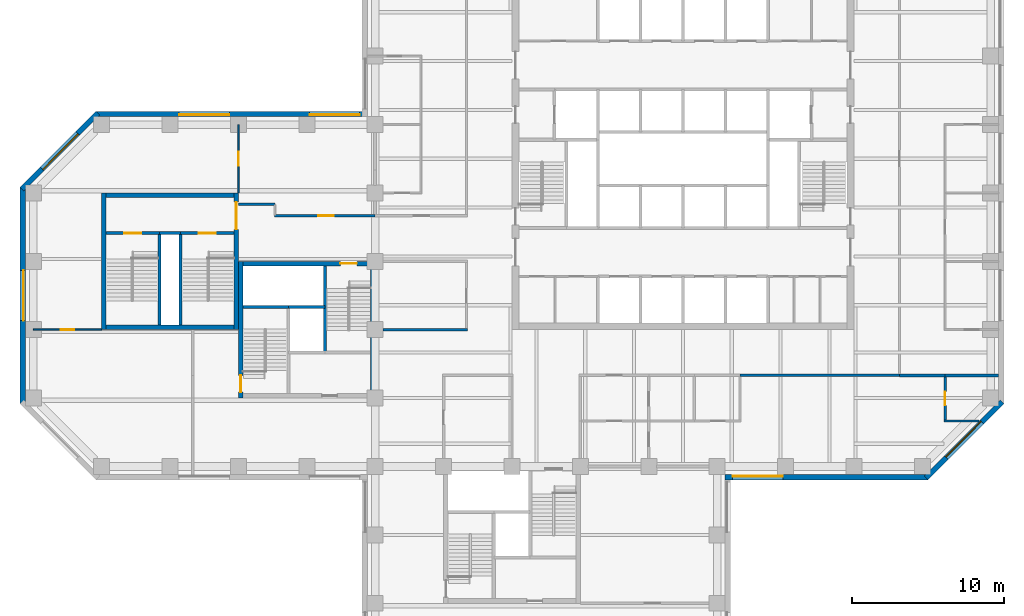
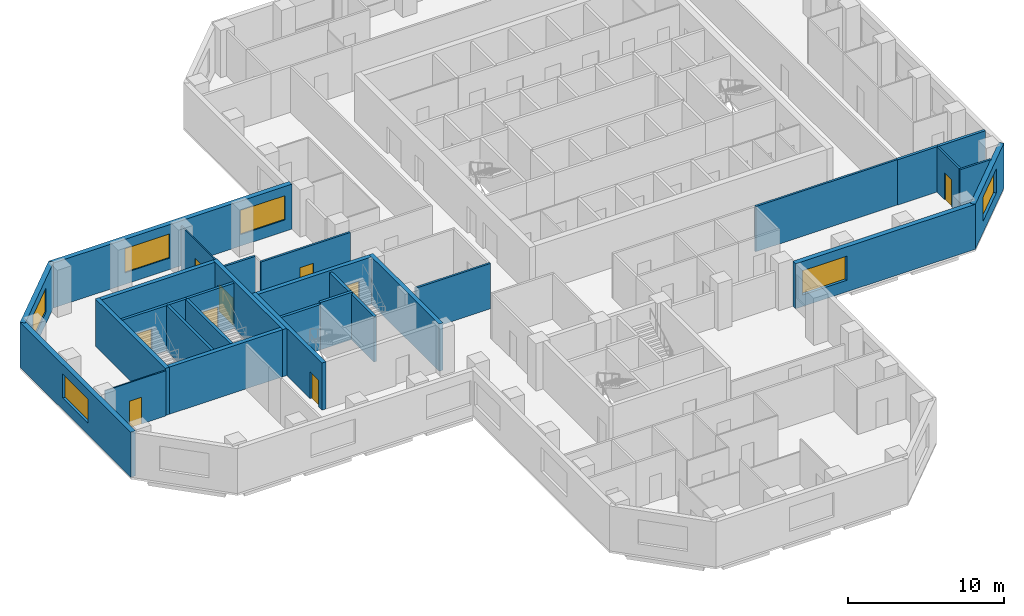
# One storey, part 5 of 10: 30 walls, 9 doors, 6 windows, 15 openings.
"""IFC4 building model written with IfcOpenShell, lengths in metres."""

from ifc_helpers import new_model, si_unit, direction, frame, frame_2d, origin, place, context, subcontext, project, spatial, rectangle, extrude, material, layer, layer_set, constituent, constituent_set, type_object, element, fill, save


model = new_model("IFC4")

# Units and contexts
model_context = context("Model", 3, precision=1e-05, world=origin(), true_north=direction((0.0, 1.0)))
body_context = subcontext(model_context, "Body", "Model", "MODEL_VIEW")
ifc_project = project(units=[si_unit("LENGTHUNIT", "METRE"), si_unit("AREAUNIT", "SQUARE_METRE"), si_unit("VOLUMEUNIT", "CUBIC_METRE"), si_unit("PLANEANGLEUNIT", "RADIAN"), si_unit("MASSUNIT", "GRAM", prefix="KILO")], contexts=[model_context])

# Site, building, storey
site_placement = place(None, origin())
site = spatial("IfcSite", under=ifc_project, at=site_placement, CompositionType="ELEMENT")
building_placement = place(site_placement, origin())
building = spatial("IfcBuilding", under=site, at=building_placement, Name="Quoin Convention Tower", CompositionType="ELEMENT")
storey_placement = place(building_placement, frame((0.0, 0.0, 90.0)))
storey = spatial("IfcBuildingStorey", under=building, at=storey_placement, Name="L23", CompositionType="ELEMENT", Elevation=90.0)

# Wall, opening, window
ifc_material_1 = material(Name="Brick masonry", Category="masonry")
ifc_layer_1 = layer(ifc_material_1, 0.35009765625)
ifc_layer_set_1 = layer_set([ifc_layer_1], Name="Brick masonry")
wall_type_1 = type_object("IfcWallType", Name="Brick facade wall", PredefinedType="STANDARD", material=ifc_layer_set_1)
wall_1_placement = place(storey_placement, frame((59.02490234375, 39.800048828125, 0.0), z_axis=(0.0, 0.0, 1.0), x_axis=(1.0, 0.0, 0.0)))
wall_1 = element("IfcWall", 1, at=wall_1_placement, inside=storey, type_object=wall_type_1, Name="fw-L23-58500_40500", PredefinedType="STANDARD", context=body_context, shape_type="SweptSolid", body=[
    extrude(rectangle(XDim=13.33740234375, YDim=0.35009765625, at=frame_2d((6.668701171875, 0.0))), origin(), (0.0, 0.0, 1.0), 3.52490234375),
])
opening_1_placement = place(wall_1_placement, frame((0.5, 0.0, 0.89990234375)))
opening_1 = element("IfcOpeningElement", 2, at=opening_1_placement, cuts=wall_1, Name="Opening W-02", PredefinedType="OPENING", context=body_context, shape_type="SweptSolid", body=[
    extrude(rectangle(XDim=3.300048828125, YDim=1.89990234375, at=frame_2d((1.64990234375, 0.949951171875))), frame((0.0, 0.18505859375, 0.0), z_axis=(0.0, -1.0, 0.0), x_axis=(1.0, 0.0, 0.0)), (0.0, 0.0, 1.0), 0.3701171875),
])
ifc_material_2 = material(Name="Aluminium", Category="aluminium")
ifc_constituent_1 = constituent(ifc_material_2, Name="Frame")
ifc_material_3 = material(Name="Insulated glass", Category="glass")
ifc_constituent_2 = constituent(ifc_material_3, Name="Glazing")
ifc_constituent_set = constituent_set(constituents=[ifc_constituent_1, ifc_constituent_2], Name="Aluminium")
window_type = type_object("IfcWindowType", Name="Office window", PartitioningType="DOUBLE_PANEL_VERTICAL", PredefinedType="WINDOW", material=ifc_constituent_set)
window_1_placement = place(opening_1_placement, origin())
window_1 = element("IfcWindow", 3, at=window_1_placement, inside=storey, type_object=window_type, Name="win-L23-60750_39800", OverallHeight=1.89990234375, OverallWidth=3.300048828125, PartitioningType="SINGLE_PANEL", PredefinedType="WINDOW", context=body_context, shape_type="SweptSolid", body=[
    extrude(rectangle(XDim=3.300048828125, YDim=1.89990234375, at=frame_2d((1.64990234375, 0.949951171875))), frame((0.0, 0.0849609375, 0.0), z_axis=(0.0, -1.0, 0.0), x_axis=(1.0, 0.0, 0.0)), (0.0, 0.0, 1.0), 0.06005859375),
])
fill(opening_1, window_1)

wall_2_placement = place(storey_placement, frame((72.23876953125, 39.748779296875, 0.0), z_axis=(0.0, 0.0, 1.0), x_axis=(0.707106781187, 0.707106781187, 0.0)))
wall_2 = element("IfcWall", 4, at=wall_2_placement, inside=storey, type_object=wall_type_1, Name="fw-L23-72000_40500", PredefinedType="STANDARD", context=body_context, shape_type="SweptSolid", body=[
    extrude(rectangle(XDim=7.088623046875, YDim=0.35009765625, at=frame_2d((3.54443359375, 0.0))), origin(), (0.0, 0.0, 1.0), 3.52490234375),
])
opening_2_placement = place(wall_2_placement, frame((1.894287109375, 0.0, 0.89990234375)))
opening_2 = element("IfcOpeningElement", 5, at=opening_2_placement, cuts=wall_2, Name="Opening W-02", PredefinedType="OPENING", context=body_context, shape_type="SweptSolid", body=[
    extrude(rectangle(XDim=3.300048828125, YDim=1.89990234375, at=frame_2d((1.64990234375, 0.949951171875))), frame((0.0, 0.18505859375, 0.0), z_axis=(0.0, -1.0, 0.0), x_axis=(1.0, 0.0, 0.0)), (0.0, 0.0, 1.0), 0.3701171875),
])
window_2_placement = place(opening_2_placement, origin())
window_2 = element("IfcWindow", 6, at=window_2_placement, inside=storey, type_object=window_type, Name="win-L23-74745_42255", OverallHeight=1.89990234375, OverallWidth=3.300048828125, PartitioningType="SINGLE_PANEL", PredefinedType="WINDOW", context=body_context, shape_type="SweptSolid", body=[
    extrude(rectangle(XDim=3.300048828125, YDim=1.89990234375, at=frame_2d((1.64990234375, 0.949951171875))), frame((0.0, 0.0849609375, 0.0), z_axis=(0.0, -1.0, 0.0), x_axis=(1.0, 0.0, 0.0)), (0.0, 0.0, 1.0), 0.06005859375),
])
fill(opening_2, window_2)

# Wall, openings, windows
wall_3_placement = place(storey_placement, frame((35.47509765625, 63.699951171875, 0.0), z_axis=(0.0, 0.0, 1.0), x_axis=(-1.0, 0.0, 0.0)))
wall_3 = element("IfcWall", 7, at=wall_3_placement, inside=storey, type_object=wall_type_1, Name="fw-L23-36000_63000", PredefinedType="STANDARD", context=body_context, shape_type="SweptSolid", body=[
    extrude(rectangle(XDim=17.83740234375, YDim=0.35009765625, at=frame_2d((8.918701171875, 0.0))), origin(), (0.0, 0.0, 1.0), 3.52490234375),
])
opening_3_placement = place(wall_3_placement, frame((0.5, 0.0, 0.89990234375)))
opening_3 = element("IfcOpeningElement", 8, at=opening_3_placement, cuts=wall_3, Name="Opening W-02", PredefinedType="OPENING", context=body_context, shape_type="SweptSolid", body=[
    extrude(rectangle(XDim=3.300048828125, YDim=1.89990234375, at=frame_2d((1.64990234375, 0.949951171875))), frame((0.0, 0.18505859375, 0.0), z_axis=(0.0, -1.0, 0.0), x_axis=(1.0, 0.0, 0.0)), (0.0, 0.0, 1.0), 0.3701171875),
])
opening_4_placement = place(wall_3_placement, frame((9.074951171875, 0.0, 0.89990234375)))
opening_4 = element("IfcOpeningElement", 9, at=opening_4_placement, cuts=wall_3, Name="Opening W-02", PredefinedType="OPENING", context=body_context, shape_type="SweptSolid", body=[
    extrude(rectangle(XDim=3.300048828125, YDim=1.89990234375, at=frame_2d((1.64990234375, 0.949951171875))), frame((0.0, 0.18505859375, 0.0), z_axis=(0.0, -1.0, 0.0), x_axis=(1.0, 0.0, 0.0)), (0.0, 0.0, 1.0), 0.3701171875),
])
window_3_placement = place(opening_3_placement, origin())
window_3 = element("IfcWindow", 10, at=window_3_placement, inside=storey, type_object=window_type, Name="win-L23-33750_63700", OverallHeight=1.89990234375, OverallWidth=3.300048828125, PartitioningType="SINGLE_PANEL", PredefinedType="WINDOW", context=body_context, shape_type="SweptSolid", body=[
    extrude(rectangle(XDim=3.300048828125, YDim=1.89990234375, at=frame_2d((1.64990234375, 0.949951171875))), frame((0.0, 0.0849609375, 0.0), z_axis=(0.0, -1.0, 0.0), x_axis=(1.0, 0.0, 0.0)), (0.0, 0.0, 1.0), 0.06005859375),
])
fill(opening_3, window_3)
window_4_placement = place(opening_4_placement, origin())
window_4 = element("IfcWindow", 11, at=window_4_placement, inside=storey, type_object=window_type, Name="win-L23-24750_63700", OverallHeight=1.89990234375, OverallWidth=3.300048828125, PartitioningType="SINGLE_PANEL", PredefinedType="WINDOW", context=body_context, shape_type="SweptSolid", body=[
    extrude(rectangle(XDim=3.300048828125, YDim=1.89990234375, at=frame_2d((1.64990234375, 0.949951171875))), frame((0.0, 0.0849609375, 0.0), z_axis=(0.0, -1.0, 0.0), x_axis=(1.0, 0.0, 0.0)), (0.0, 0.0, 1.0), 0.06005859375),
])
fill(opening_4, window_4)

# Wall, opening, window
wall_4_placement = place(storey_placement, frame((17.76123046875, 63.751220703125, 0.0), z_axis=(0.0, 0.0, 1.0), x_axis=(-0.707106781187, -0.707106781187, 0.0)))
wall_4 = element("IfcWall", 12, at=wall_4_placement, inside=storey, type_object=wall_type_1, Name="fw-L23-18000_63000", PredefinedType="STANDARD", context=body_context, shape_type="SweptSolid", body=[
    extrude(rectangle(XDim=7.088623046875, YDim=0.35009765625, at=frame_2d((3.54443359375, 0.0))), origin(), (0.0, 0.0, 1.0), 3.52490234375),
])
opening_5_placement = place(wall_4_placement, frame((1.894287109375, 0.0, 0.89990234375)))
opening_5 = element("IfcOpeningElement", 13, at=opening_5_placement, cuts=wall_4, Name="Opening W-02", PredefinedType="OPENING", context=body_context, shape_type="SweptSolid", body=[
    extrude(rectangle(XDim=3.300048828125, YDim=1.89990234375, at=frame_2d((1.64990234375, 0.949951171875))), frame((0.0, 0.18505859375, 0.0), z_axis=(0.0, -1.0, 0.0), x_axis=(1.0, 0.0, 0.0)), (0.0, 0.0, 1.0), 0.3701171875),
])
window_5_placement = place(opening_5_placement, origin())
window_5 = element("IfcWindow", 14, at=window_5_placement, inside=storey, type_object=window_type, Name="win-L23-15255_61245", OverallHeight=1.89990234375, OverallWidth=3.300048828125, PartitioningType="SINGLE_PANEL", PredefinedType="WINDOW", context=body_context, shape_type="SweptSolid", body=[
    extrude(rectangle(XDim=3.300048828125, YDim=1.89990234375, at=frame_2d((1.64990234375, 0.949951171875))), frame((0.0, 0.0849609375, 0.0), z_axis=(0.0, -1.0, 0.0), x_axis=(1.0, 0.0, 0.0)), (0.0, 0.0, 1.0), 0.06005859375),
])
fill(opening_5, window_5)

wall_5_placement = place(storey_placement, frame((12.800048828125, 58.8623046875, 0.0), z_axis=(0.0, 0.0, 1.0), x_axis=(0.0, -1.0, 0.0)))
wall_5 = element("IfcWall", 15, at=wall_5_placement, inside=storey, type_object=wall_type_1, Name="fw-L23-13500_58500", PredefinedType="STANDARD", context=body_context, shape_type="SweptSolid", body=[
    extrude(rectangle(XDim=14.224609375, YDim=0.35009765625, at=frame_2d((7.1123046875, 0.0))), origin(), (0.0, 0.0, 1.0), 3.52490234375),
])
opening_6_placement = place(wall_5_placement, frame((5.46240234375, 0.0, 0.89990234375)))
opening_6 = element("IfcOpeningElement", 16, at=opening_6_placement, cuts=wall_5, Name="Opening W-02", PredefinedType="OPENING", context=body_context, shape_type="SweptSolid", body=[
    extrude(rectangle(XDim=3.300048828125, YDim=1.89990234375, at=frame_2d((1.64990234375, 0.949951171875))), frame((0.0, 0.18505859375, 0.0), z_axis=(0.0, -1.0, 0.0), x_axis=(1.0, 0.0, 0.0)), (0.0, 0.0, 1.0), 0.3701171875),
])
window_6_placement = place(opening_6_placement, origin())
window_6 = element("IfcWindow", 17, at=window_6_placement, inside=storey, type_object=window_type, Name="win-L23-12800_51750", OverallHeight=1.89990234375, OverallWidth=3.300048828125, PartitioningType="SINGLE_PANEL", PredefinedType="WINDOW", context=body_context, shape_type="SweptSolid", body=[
    extrude(rectangle(XDim=3.300048828125, YDim=1.89990234375, at=frame_2d((1.64990234375, 0.949951171875))), frame((0.0, 0.0849609375, 0.0), z_axis=(0.0, -1.0, 0.0), x_axis=(1.0, 0.0, 0.0)), (0.0, 0.0, 1.0), 0.06005859375),
])
fill(opening_6, window_6)

# Walls
ifc_material_4 = material(Name="Concrete C50", Category="concrete")
ifc_layer_2 = layer(ifc_material_4, 0.199951171875)
ifc_layer_set_2 = layer_set([ifc_layer_2], Name="Concrete C50")
wall_type_2 = type_object("IfcWallType", Name="Core shaft wall", PredefinedType="SOLIDWALL", material=ifc_layer_set_2)
wall_6_placement = place(storey_placement, frame((27.300048828125, 51.0, 0.0), z_axis=(0.0, 0.0, 1.0), x_axis=(1.0, 0.0, 0.0)))
element("IfcWall", 18, at=wall_6_placement, inside=storey, type_object=wall_type_2, Name="cr-P2-L23-h6000_300", PredefinedType="SOLIDWALL", context=body_context, shape_type="SweptSolid", body=[
    extrude(rectangle(XDim=3.0, YDim=0.199951171875, at=frame_2d((1.5, 0.0))), origin(), (0.0, 0.0, 1.0), 3.550048828125),
])
wall_7_placement = place(storey_placement, frame((32.699951171875, 48.0, 0.0), z_axis=(0.0, 0.0, 1.0), x_axis=(0.0, 1.0, 0.0)))
element("IfcWall", 19, at=wall_7_placement, inside=storey, type_object=wall_type_2, Name="cr-P2-L23-v5700_3000", PredefinedType="SOLIDWALL", context=body_context, shape_type="SweptSolid", body=[
    extrude(rectangle(XDim=5.699951171875, YDim=0.199951171875, at=frame_2d((2.85009765625, 0.0))), origin(), (0.0, 0.0, 1.0), 3.550048828125),
])
wall_8_placement = place(storey_placement, frame((21.800048828125, 55.85009765625, 0.0), z_axis=(0.0, 0.0, 1.0), x_axis=(1.0, 0.0, 0.0)))
element("IfcWall", 20, at=wall_8_placement, inside=storey, type_object=wall_type_2, Name="cr-P6-L23-h6350_3800", PredefinedType="SOLIDWALL", context=body_context, shape_type="SweptSolid", body=[
    extrude(rectangle(XDim=1.39990234375, YDim=0.199951171875, at=frame_2d((0.699951171875, 0.0))), origin(), (0.0, 0.0, 1.0), 3.550048828125),
])

# Wall, opening, door
wall_9_placement = place(storey_placement, frame((18.300048828125, 55.85009765625, 0.0), z_axis=(0.0, 0.0, 1.0), x_axis=(1.0, 0.0, 0.0)))
wall_9 = element("IfcWall", 21, at=wall_9_placement, inside=storey, type_object=wall_type_2, Name="cr-P6-L23-h6350_300", PredefinedType="SOLIDWALL", context=body_context, shape_type="SweptSolid", body=[
    extrude(rectangle(XDim=3.5, YDim=0.199951171875, at=frame_2d((1.75, 0.0))), origin(), (0.0, 0.0, 1.0), 3.550048828125),
])
opening_7_placement = place(wall_9_placement, frame((1.199951171875, 0.0, 0.0)))
opening_7 = element("IfcOpeningElement", 22, at=opening_7_placement, cuts=wall_9, Name="Opening SD11", PredefinedType="OPENING", context=body_context, shape_type="SweptSolid", body=[
    extrude(rectangle(XDim=1.10009765625, YDim=2.10009765625, at=frame_2d((0.550048828125, 1.050048828125))), frame((0.0, 0.10986328125, 0.0), z_axis=(0.0, -1.0, 0.0), x_axis=(1.0, 0.0, 0.0)), (0.0, 0.0, 1.0), 0.219970703125),
])
ifc_material_5 = material(Name="Steel door leaf", Category="steel")
door_type_1 = type_object("IfcDoorType", Name="Stair door 1100 x 2100", OperationType="SINGLE_SWING_RIGHT", PredefinedType="DOOR", material=ifc_material_5)
door_1_placement = place(opening_7_placement, origin())
door_1 = element("IfcDoor", 23, at=door_1_placement, inside=storey, type_object=door_type_1, Name="cd-P6-L23-SA-R2-SD11", OperationType="SINGLE_SWING_RIGHT", OverallHeight=2.10009765625, OverallWidth=1.10009765625, PredefinedType="DOOR", context=body_context, shape_type="SweptSolid", body=[
    extrude(rectangle(XDim=1.10009765625, YDim=2.10009765625, at=frame_2d((0.550048828125, 1.050048828125))), frame((0.0, 0.02490234375, 0.0), z_axis=(0.0, -1.0, 0.0), x_axis=(1.0, 0.0, 0.0)), (0.0, 0.0, 1.0), 0.050048828125),
])
fill(opening_7, door_1)

wall_10_placement = place(storey_placement, frame((23.199951171875, 55.85009765625, 0.0), z_axis=(0.0, 0.0, 1.0), x_axis=(1.0, 0.0, 0.0)))
wall_10 = element("IfcWall", 24, at=wall_10_placement, inside=storey, type_object=wall_type_2, Name="cr-P6-L23-h6350_5200", PredefinedType="SOLIDWALL", context=body_context, shape_type="SweptSolid", body=[
    extrude(rectangle(XDim=3.5, YDim=0.199951171875, at=frame_2d((1.75, 0.0))), origin(), (0.0, 0.0, 1.0), 3.550048828125),
])
opening_8_placement = place(wall_10_placement, frame((1.199951171875, 0.0, 0.0)))
opening_8 = element("IfcOpeningElement", 25, at=opening_8_placement, cuts=wall_10, Name="Opening SD12", PredefinedType="OPENING", context=body_context, shape_type="SweptSolid", body=[
    extrude(rectangle(XDim=1.10009765625, YDim=2.10009765625, at=frame_2d((0.550048828125, 1.050048828125))), frame((0.0, 0.10986328125, 0.0), z_axis=(0.0, -1.0, 0.0), x_axis=(1.0, 0.0, 0.0)), (0.0, 0.0, 1.0), 0.219970703125),
])
door_2_placement = place(opening_8_placement, origin())
door_2 = element("IfcDoor", 26, at=door_2_placement, inside=storey, type_object=door_type_1, Name="cd-P6-L23-SB-R2-SD12", OperationType="SINGLE_SWING_RIGHT", OverallHeight=2.10009765625, OverallWidth=1.10009765625, PredefinedType="DOOR", context=body_context, shape_type="SweptSolid", body=[
    extrude(rectangle(XDim=1.10009765625, YDim=2.10009765625, at=frame_2d((0.550048828125, 1.050048828125))), frame((0.0, 0.02490234375, 0.0), z_axis=(0.0, -1.0, 0.0), x_axis=(1.0, 0.0, 0.0)), (0.0, 0.0, 1.0), 0.050048828125),
])
fill(opening_8, door_2)

# Walls
for number, where, z_axis, x_axis, name in (
    (27, (21.800048828125, 49.800048828125, 0.0), (0.0, 0.0, 1.0), (0.0, 1.0, 0.0), "cr-P6-L23-v3800_300"),
    (28, (23.199951171875, 49.800048828125, 0.0), (0.0, 0.0, 1.0), (0.0, 1.0, 0.0), "cr-P6-L23-v5200_300"),
):
    element("IfcWall", number, at=place(storey_placement, frame(where, z_axis=z_axis, x_axis=x_axis)), inside=storey, type_object=wall_type_2, Name=name, PredefinedType="SOLIDWALL", context=body_context, shape_type="SweptSolid", body=[
        extrude(rectangle(XDim=6.050048828125, YDim=0.199951171875, at=frame_2d((3.02490234375, 0.0))), origin(), (0.0, 0.0, 1.0), 3.550048828125),
    ])
ifc_layer_3 = layer(ifc_material_4, 0.199951171875)
ifc_layer_set_3 = layer_set([ifc_layer_3], Name="Concrete C50")
wall_type_3 = type_object("IfcWallType", Name="Core shaft wall to the floor level over", PredefinedType="SOLIDWALL", material=ifc_layer_set_3)
wall_11_placement = place(storey_placement, frame((30.300048828125, 51.0, 0.0), z_axis=(0.0, 0.0, 1.0), x_axis=(1.0, 0.0, 0.0)))
element("IfcWall", 29, at=wall_11_placement, inside=storey, type_object=wall_type_3, Name="cr-P2-L23-h6000_3300", PredefinedType="SOLIDWALL", context=body_context, shape_type="SweptSolid", body=[
    extrude(rectangle(XDim=2.39990234375, YDim=0.199951171875, at=frame_2d((1.199951171875, 0.0))), origin(), (0.0, 0.0, 1.0), 3.699951171875),
])
ifc_material_6 = material(Name="Plasterboard")
ifc_layer_4 = layer(ifc_material_6, 0.012451171875, Name="Finish")
ifc_material_7 = material(Name="Steel stud framing", Category="steel")
ifc_layer_5 = layer(ifc_material_7, 0.125, Name="Structure")
ifc_layer_6 = layer(ifc_material_6, 0.012451171875, Name="Finish")
ifc_layer_set_4 = layer_set([ifc_layer_4, ifc_layer_5, ifc_layer_6], Name="Steel stud framing")
wall_type_4 = type_object("IfcWallType", Name="Corridor wall 150", PredefinedType="PARTITIONING", material=ifc_layer_set_4)
wall_12_placement = place(storey_placement, frame((60.0, 46.5, 0.0), z_axis=(0.0, 0.0, 1.0), x_axis=(1.0, 0.0, 0.0)))
element("IfcWall", 30, at=wall_12_placement, inside=storey, type_object=wall_type_4, Name="pw-L23-028", PredefinedType="PARTITIONING", context=body_context, shape_type="SweptSolid", body=[
    extrude(rectangle(XDim=10.5, YDim=0.14990234375, at=frame_2d((5.25, 0.0))), origin(), (0.0, 0.0, 1.0), 3.550048828125),
])
wall_13_placement = place(storey_placement, frame((36.52490234375, 49.5, 0.0), z_axis=(0.0, 0.0, 1.0), x_axis=(1.0, 0.0, 0.0)))
element("IfcWall", 31, at=wall_13_placement, inside=storey, type_object=wall_type_4, Name="pw-L23-032", PredefinedType="PARTITIONING", context=body_context, shape_type="SweptSolid", body=[
    extrude(rectangle(XDim=5.550048828125, YDim=0.14990234375, at=frame_2d((2.77490234375, 0.0))), origin(), (0.0, 0.0, 1.0), 3.550048828125),
])

# Wall, opening, door
wall_14_placement = place(storey_placement, frame((29.3798828125, 57.0, 0.0), z_axis=(0.0, 0.0, 1.0), x_axis=(1.0, 0.0, 0.0)))
wall_14 = element("IfcWall", 32, at=wall_14_placement, inside=storey, type_object=wall_type_4, Name="pw-L23-037", PredefinedType="PARTITIONING", context=body_context, shape_type="SweptSolid", body=[
    extrude(rectangle(XDim=6.6201171875, YDim=0.14990234375, at=frame_2d((3.31005859375, 0.0))), origin(), (0.0, 0.0, 1.0), 3.550048828125),
])
opening_9_placement = place(wall_14_placement, frame((2.8798828125, 0.0, 0.0)))
opening_9 = element("IfcOpeningElement", 33, at=opening_9_placement, cuts=wall_14, Name="Opening DOL2-12", PredefinedType="OPENING", context=body_context, shape_type="SweptSolid", body=[
    extrude(rectangle(XDim=1.0, YDim=2.10009765625, at=frame_2d((0.5, 1.050048828125))), frame((0.0, 0.0849609375, 0.0), z_axis=(0.0, -1.0, 0.0), x_axis=(1.0, 0.0, 0.0)), (0.0, 0.0, 1.0), 0.169921875),
])
door_type_2 = type_object("IfcDoorType", Name="Tenancy entrance door 1000 x 2100", OperationType="DOUBLE_DOOR_SINGLE_SWING", PredefinedType="DOOR", material=ifc_material_5)
door_3_placement = place(opening_9_placement, origin())
door_3 = element("IfcDoor", 34, at=door_3_placement, inside=storey, type_object=door_type_2, Name="dr-L23-w01", OperationType="DOUBLE_DOOR_SINGLE_SWING", OverallHeight=2.10009765625, OverallWidth=1.0, PredefinedType="DOOR", context=body_context, shape_type="SweptSolid", body=[
    extrude(rectangle(XDim=1.0, YDim=2.10009765625, at=frame_2d((0.5, 1.050048828125))), frame((0.0, 0.02490234375, 0.0), z_axis=(0.0, -1.0, 0.0), x_axis=(1.0, 0.0, 0.0)), (0.0, 0.0, 1.0), 0.050048828125),
])
fill(opening_9, door_3)

# Wall
wall_15_placement = place(storey_placement, frame((27.0, 57.75, 0.0), z_axis=(0.0, 0.0, 1.0), x_axis=(1.0, 0.0, 0.0)))
element("IfcWall", 35, at=wall_15_placement, inside=storey, type_object=wall_type_4, Name="pw-L23-w03", PredefinedType="PARTITIONING", context=body_context, shape_type="SweptSolid", body=[
    extrude(rectangle(XDim=2.39990234375, YDim=0.14990234375, at=frame_2d((1.199951171875, 0.0))), origin(), (0.0, 0.0, 1.0), 3.550048828125),
])

# Wall, opening, door
ifc_material_8 = material(Name="Concrete C65", Category="concrete")
ifc_layer_7 = layer(ifc_material_8, 0.300048828125)
ifc_layer_set_5 = layer_set([ifc_layer_7], Name="Concrete C65")
wall_type_5 = type_object("IfcWallType", Name="RC CORE WALL 300 C65", PredefinedType="SHEAR", material=ifc_layer_set_5)
wall_16_placement = place(storey_placement, frame((27.300048828125, 53.85009765625, 0.0), z_axis=(0.0, 0.0, 1.0), x_axis=(1.0, 0.0, 0.0)))
wall_16 = element("IfcWall", 36, at=wall_16_placement, inside=storey, type_object=wall_type_5, Name="cwl-P2-L23-N", PredefinedType="SHEAR", context=body_context, shape_type="SweptSolid", body=[
    extrude(rectangle(XDim=8.39990234375, YDim=0.300048828125, at=frame_2d((4.199951171875, 0.0))), origin(), (0.0, 0.0, 1.0), 3.699951171875),
])
opening_10_placement = place(wall_16_placement, frame((6.39990234375, 0.0, 0.0)))
opening_10 = element("IfcOpeningElement", 37, at=opening_10_placement, cuts=wall_16, Name="Opening SD4", PredefinedType="OPENING", context=body_context, shape_type="SweptSolid", body=[
    extrude(rectangle(XDim=1.10009765625, YDim=2.10009765625, at=frame_2d((0.550048828125, 1.050048828125))), frame((0.0, 0.159912109375, 0.0), z_axis=(0.0, -1.0, 0.0), x_axis=(1.0, 0.0, 0.0)), (0.0, 0.0, 1.0), 0.320068359375),
])
door_4_placement = place(opening_10_placement, frame((1.10009765625, 0.0, 0.0), z_axis=(0.0, 0.0, 1.0), x_axis=(-1.0, 0.0, 0.0)))
door_4 = element("IfcDoor", 38, at=door_4_placement, inside=storey, type_object=door_type_1, Name="cd-P2-L23-SB-N", OperationType="SINGLE_SWING_LEFT", OverallHeight=2.10009765625, OverallWidth=1.10009765625, PredefinedType="DOOR", context=body_context, shape_type="SweptSolid", body=[
    extrude(rectangle(XDim=1.10009765625, YDim=2.10009765625, at=frame_2d((0.550048828125, 1.050048828125))), frame((0.0, 0.02490234375, 0.0), z_axis=(0.0, -1.0, 0.0), x_axis=(1.0, 0.0, 0.0)), (0.0, 0.0, 1.0), 0.050048828125),
])
fill(opening_10, door_4)

wall_17_placement = place(storey_placement, frame((27.14990234375, 45.0, 0.0), z_axis=(0.0, 0.0, 1.0), x_axis=(0.0, 1.0, 0.0)))
wall_17 = element("IfcWall", 39, at=wall_17_placement, inside=storey, type_object=wall_type_5, Name="cwl-P2-L23-W", PredefinedType="SHEAR", context=body_context, shape_type="SweptSolid", body=[
    extrude(rectangle(XDim=9.0, YDim=0.300048828125, at=frame_2d((4.5, 0.0))), origin(), (0.0, 0.0, 1.0), 3.699951171875),
])
opening_11_placement = place(wall_17_placement, frame((0.39990234375, 0.0, 0.0)))
opening_11 = element("IfcOpeningElement", 40, at=opening_11_placement, cuts=wall_17, Name="Opening SD3", PredefinedType="OPENING", context=body_context, shape_type="SweptSolid", body=[
    extrude(rectangle(XDim=1.10009765625, YDim=2.10009765625, at=frame_2d((0.550048828125, 1.050048828125))), frame((0.0, 0.159912109375, 0.0), z_axis=(0.0, -1.0, 0.0), x_axis=(1.0, 0.0, 0.0)), (0.0, 0.0, 1.0), 0.320068359375),
])
door_5_placement = place(opening_11_placement, frame((1.10009765625, 0.0, 0.0), z_axis=(0.0, 0.0, 1.0), x_axis=(-1.0, 0.0, 0.0)))
door_5 = element("IfcDoor", 41, at=door_5_placement, inside=storey, type_object=door_type_1, Name="cd-P2-L23-SA-W", OperationType="SINGLE_SWING_RIGHT", OverallHeight=2.10009765625, OverallWidth=1.10009765625, PredefinedType="DOOR", context=body_context, shape_type="SweptSolid", body=[
    extrude(rectangle(XDim=1.10009765625, YDim=2.10009765625, at=frame_2d((0.550048828125, 1.050048828125))), frame((0.0, 0.02490234375, 0.0), z_axis=(0.0, -1.0, 0.0), x_axis=(1.0, 0.0, 0.0)), (0.0, 0.0, 1.0), 0.050048828125),
])
fill(opening_11, door_5)

# Walls
wall_18_placement = place(storey_placement, frame((35.85009765625, 45.0, 0.0), z_axis=(0.0, 0.0, 1.0), x_axis=(0.0, 1.0, 0.0)))
element("IfcWall", 42, at=wall_18_placement, inside=storey, type_object=wall_type_5, Name="cwl-P2-L23-E", PredefinedType="SHEAR", context=body_context, shape_type="SweptSolid", body=[
    extrude(rectangle(XDim=9.0, YDim=0.300048828125, at=frame_2d((4.5, 0.0))), origin(), (0.0, 0.0, 1.0), 3.699951171875),
])
for number, where, z_axis, x_axis, name in (
    (43, (18.300048828125, 49.64990234375, 0.0), (0.0, 0.0, 1.0), (1.0, 0.0, 0.0), "cwl-P6-L23-S"),
    (44, (18.300048828125, 58.35009765625, 0.0), (0.0, 0.0, 1.0), (1.0, 0.0, 0.0), "cwl-P6-L23-N"),
):
    element("IfcWall", number, at=place(storey_placement, frame(where, z_axis=z_axis, x_axis=x_axis)), inside=storey, type_object=wall_type_5, Name=name, PredefinedType="SHEAR", context=body_context, shape_type="SweptSolid", body=[
        extrude(rectangle(XDim=8.39990234375, YDim=0.300048828125, at=frame_2d((4.199951171875, 0.0))), origin(), (0.0, 0.0, 1.0), 3.699951171875),
    ])
wall_19_placement = place(storey_placement, frame((18.14990234375, 49.5, 0.0), z_axis=(0.0, 0.0, 1.0), x_axis=(0.0, 1.0, 0.0)))
element("IfcWall", 45, at=wall_19_placement, inside=storey, type_object=wall_type_5, Name="cwl-P6-L23-W", PredefinedType="SHEAR", context=body_context, shape_type="SweptSolid", body=[
    extrude(rectangle(XDim=9.0, YDim=0.300048828125, at=frame_2d((4.5, 0.0))), origin(), (0.0, 0.0, 1.0), 3.699951171875),
])

# Wall, opening, door
wall_20_placement = place(storey_placement, frame((26.85009765625, 49.5, 0.0), z_axis=(0.0, 0.0, 1.0), x_axis=(0.0, 1.0, 0.0)))
wall_20 = element("IfcWall", 46, at=wall_20_placement, inside=storey, type_object=wall_type_5, Name="cwl-P6-L23-E", PredefinedType="SHEAR", context=body_context, shape_type="SweptSolid", body=[
    extrude(rectangle(XDim=9.0, YDim=0.300048828125, at=frame_2d((4.5, 0.0))), origin(), (0.0, 0.0, 1.0), 3.699951171875),
])
opening_12_placement = place(wall_20_placement, frame((6.60009765625, 0.0, 0.0)))
opening_12 = element("IfcOpeningElement", 47, at=opening_12_placement, cuts=wall_20, Name="Opening DCV2-44", PredefinedType="OPENING", context=body_context, shape_type="SweptSolid", body=[
    extrude(rectangle(XDim=1.800048828125, YDim=2.10009765625, at=frame_2d((0.89990234375, 1.050048828125))), frame((0.0, 0.159912109375, 0.0), z_axis=(0.0, -1.0, 0.0), x_axis=(1.0, 0.0, 0.0)), (0.0, 0.0, 1.0), 0.320068359375),
])
door_type_3 = type_object("IfcDoorType", Name="Goods lobby door 1800 x 2100", OperationType="SINGLE_SWING_LEFT", PredefinedType="DOOR", material=ifc_material_5)
door_6_placement = place(opening_12_placement, origin())
door_6 = element("IfcDoor", 48, at=door_6_placement, inside=storey, type_object=door_type_3, Name="cd-P6-L23-R2-E", OperationType="SINGLE_SWING_LEFT", OverallHeight=2.10009765625, OverallWidth=1.800048828125, PredefinedType="DOOR", context=body_context, shape_type="SweptSolid", body=[
    extrude(rectangle(XDim=1.800048828125, YDim=2.10009765625, at=frame_2d((0.89990234375, 1.050048828125))), frame((0.0, 0.02490234375, 0.0), z_axis=(0.0, -1.0, 0.0), x_axis=(1.0, 0.0, 0.0)), (0.0, 0.0, 1.0), 0.050048828125),
])
fill(opening_12, door_6)

ifc_layer_8 = layer(ifc_material_6, 0.012451171875, Name="Finish")
ifc_layer_9 = layer(ifc_material_7, 0.074951171875, Name="Structure")
ifc_layer_10 = layer(ifc_material_6, 0.012451171875, Name="Finish")
ifc_layer_set_6 = layer_set([ifc_layer_8, ifc_layer_9, ifc_layer_10], Name="Steel stud framing")
wall_type_6 = type_object("IfcWallType", Name="Stud partition 100", PredefinedType="PARTITIONING", material=ifc_layer_set_6)
wall_21_placement = place(storey_placement, frame((27.0, 63.0, 0.0), z_axis=(0.0, 0.0, 1.0), x_axis=(0.0, -1.0, 0.0)))
wall_21 = element("IfcWall", 49, at=wall_21_placement, inside=storey, type_object=wall_type_6, Name="pw-L23-w01", PredefinedType="PARTITIONING", context=body_context, shape_type="SweptSolid", body=[
    extrude(rectangle(XDim=4.5, YDim=0.10009765625, at=frame_2d((2.25, 0.0))), origin(), (0.0, 0.0, 1.0), 3.550048828125),
])
opening_13_placement = place(wall_21_placement, frame((1.800048828125, 0.0, 0.0)))
opening_13 = element("IfcOpeningElement", 50, at=opening_13_placement, cuts=wall_21, Name="Opening DOL2-31", PredefinedType="OPENING", context=body_context, shape_type="SweptSolid", body=[
    extrude(rectangle(XDim=0.89990234375, YDim=2.10009765625, at=frame_2d((0.449951171875, 1.050048828125))), frame((0.0, 0.06005859375, 0.0), z_axis=(0.0, -1.0, 0.0), x_axis=(1.0, 0.0, 0.0)), (0.0, 0.0, 1.0), 0.1201171875),
])
door_type_4 = type_object("IfcDoorType", Name="Office door 900 x 2100", OperationType="SINGLE_SWING_RIGHT", PredefinedType="DOOR", material=ifc_material_5)
door_7_placement = place(opening_13_placement, frame((0.89990234375, 0.0, 0.0), z_axis=(0.0, 0.0, 1.0), x_axis=(-1.0, 0.0, 0.0)))
door_7 = element("IfcDoor", 51, at=door_7_placement, inside=storey, type_object=door_type_4, Name="dr-L23-w02", OperationType="SINGLE_SWING_RIGHT", OverallHeight=2.10009765625, OverallWidth=0.89990234375, PredefinedType="DOOR", context=body_context, shape_type="SweptSolid", body=[
    extrude(rectangle(XDim=0.89990234375, YDim=2.10009765625, at=frame_2d((0.449951171875, 1.050048828125))), frame((0.0, 0.02490234375, 0.0), z_axis=(0.0, -1.0, 0.0), x_axis=(1.0, 0.0, 0.0)), (0.0, 0.0, 1.0), 0.050048828125),
])
fill(opening_13, door_7)

wall_22_placement = place(storey_placement, frame((13.5, 49.5, 0.0), z_axis=(0.0, 0.0, 1.0), x_axis=(1.0, 0.0, 0.0)))
wall_22 = element("IfcWall", 52, at=wall_22_placement, inside=storey, type_object=wall_type_6, Name="pw-L23-w02", PredefinedType="PARTITIONING", context=body_context, shape_type="SweptSolid", body=[
    extrude(rectangle(XDim=4.5, YDim=0.10009765625, at=frame_2d((2.25, 0.0))), origin(), (0.0, 0.0, 1.0), 3.550048828125),
])
opening_14_placement = place(wall_22_placement, frame((1.800048828125, 0.0, 0.0)))
opening_14 = element("IfcOpeningElement", 53, at=opening_14_placement, cuts=wall_22, Name="Opening DOL2-32", PredefinedType="OPENING", context=body_context, shape_type="SweptSolid", body=[
    extrude(rectangle(XDim=0.89990234375, YDim=2.10009765625, at=frame_2d((0.449951171875, 1.050048828125))), frame((0.0, 0.06005859375, 0.0), z_axis=(0.0, -1.0, 0.0), x_axis=(1.0, 0.0, 0.0)), (0.0, 0.0, 1.0), 0.1201171875),
])
door_8_placement = place(opening_14_placement, origin())
door_8 = element("IfcDoor", 54, at=door_8_placement, inside=storey, type_object=door_type_4, Name="dr-L23-w03", OperationType="SINGLE_SWING_RIGHT", OverallHeight=2.10009765625, OverallWidth=0.89990234375, PredefinedType="DOOR", context=body_context, shape_type="SweptSolid", body=[
    extrude(rectangle(XDim=0.89990234375, YDim=2.10009765625, at=frame_2d((0.449951171875, 1.050048828125))), frame((0.0, 0.02490234375, 0.0), z_axis=(0.0, -1.0, 0.0), x_axis=(1.0, 0.0, 0.0)), (0.0, 0.0, 1.0), 0.050048828125),
])
fill(opening_14, door_8)

# Walls
ifc_layer_11 = layer(ifc_material_6, 0.012451171875, Name="Finish")
ifc_layer_12 = layer(ifc_material_7, 0.175048828125, Name="Structure")
ifc_layer_13 = layer(ifc_material_6, 0.012451171875, Name="Finish")
ifc_layer_set_7 = layer_set([ifc_layer_11, ifc_layer_12, ifc_layer_13], Name="Steel stud framing")
wall_type_7 = type_object("IfcWallType", Name="Tenancy demising wall 200", PredefinedType="PARTITIONING", material=ifc_layer_set_7)
wall_23_placement = place(storey_placement, frame((70.5, 46.5, 0.0), z_axis=(0.0, 0.0, 1.0), x_axis=(1.0, 0.0, 0.0)))
element("IfcWall", 55, at=wall_23_placement, inside=storey, type_object=wall_type_7, Name="pw-L23-029", PredefinedType="PARTITIONING", context=body_context, shape_type="SweptSolid", body=[
    extrude(rectangle(XDim=3.0, YDim=0.199951171875, at=frame_2d((1.5, 0.0))), origin(), (0.0, 0.0, 1.0), 3.550048828125),
])
wall_24_placement = place(storey_placement, frame((73.5, 46.5, 0.0), z_axis=(0.0, 0.0, 1.0), x_axis=(1.0, 0.0, 0.0)))
element("IfcWall", 56, at=wall_24_placement, inside=storey, type_object=wall_type_7, Name="pw-L23-030", PredefinedType="PARTITIONING", context=body_context, shape_type="SweptSolid", body=[
    extrude(rectangle(XDim=3.52490234375, YDim=0.199951171875, at=frame_2d((1.762451171875, 0.0))), origin(), (0.0, 0.0, 1.0), 3.550048828125),
])
ifc_layer_14 = layer(ifc_material_6, 0.012451171875, Name="Finish")
ifc_layer_15 = layer(ifc_material_7, 0.125, Name="Structure")
ifc_layer_16 = layer(ifc_material_6, 0.012451171875, Name="Finish")
ifc_layer_set_8 = layer_set([ifc_layer_14, ifc_layer_15, ifc_layer_16], Name="Steel stud framing")
wall_type_8 = type_object("IfcWallType", Name="Wet area partition 150", PredefinedType="PARTITIONING", material=ifc_layer_set_8)
wall_25_placement = place(storey_placement, frame((73.425048828125, 43.5, 0.0), z_axis=(0.0, 0.0, 1.0), x_axis=(1.0, 0.0, 0.0)))
element("IfcWall", 57, at=wall_25_placement, inside=storey, type_object=wall_type_8, Name="pw-L23-020", PredefinedType="PARTITIONING", context=body_context, shape_type="SweptSolid", body=[
    extrude(rectangle(XDim=2.3173828125, YDim=0.14990234375, at=frame_2d((1.15869140625, 0.0))), origin(), (0.0, 0.0, 1.0), 3.550048828125),
])

# Wall, opening, door
wall_26_placement = place(storey_placement, frame((73.5, 43.574951171875, 0.0), z_axis=(0.0, 0.0, 1.0), x_axis=(0.0, 1.0, 0.0)))
wall_26 = element("IfcWall", 58, at=wall_26_placement, inside=storey, type_object=wall_type_8, Name="pw-L23-076", PredefinedType="PARTITIONING", context=body_context, shape_type="SweptSolid", body=[
    extrude(rectangle(XDim=2.824951171875, YDim=0.14990234375, at=frame_2d((1.41259765625, 0.0))), origin(), (0.0, 0.0, 1.0), 3.550048828125),
])
opening_15_placement = place(wall_26_placement, frame((0.949951171875, 0.0, 0.0)))
opening_15 = element("IfcOpeningElement", 59, at=opening_15_placement, cuts=wall_26, Name="Opening DOL2-24", PredefinedType="OPENING", context=body_context, shape_type="SweptSolid", body=[
    extrude(rectangle(XDim=0.89990234375, YDim=2.10009765625, at=frame_2d((0.449951171875, 1.050048828125))), frame((0.0, 0.0849609375, 0.0), z_axis=(0.0, -1.0, 0.0), x_axis=(1.0, 0.0, 0.0)), (0.0, 0.0, 1.0), 0.169921875),
])
door_9_placement = place(opening_15_placement, origin())
door_9 = element("IfcDoor", 60, at=door_9_placement, inside=storey, type_object=door_type_4, Name="dr-L23-26", OperationType="SINGLE_SWING_RIGHT", OverallHeight=2.10009765625, OverallWidth=0.89990234375, PredefinedType="DOOR", context=body_context, shape_type="SweptSolid", body=[
    extrude(rectangle(XDim=0.89990234375, YDim=2.10009765625, at=frame_2d((0.449951171875, 1.050048828125))), frame((0.0, 0.02490234375, 0.0), z_axis=(0.0, -1.0, 0.0), x_axis=(1.0, 0.0, 0.0)), (0.0, 0.0, 1.0), 0.050048828125),
])
fill(opening_15, door_9)

save(model, "model.ifc")
